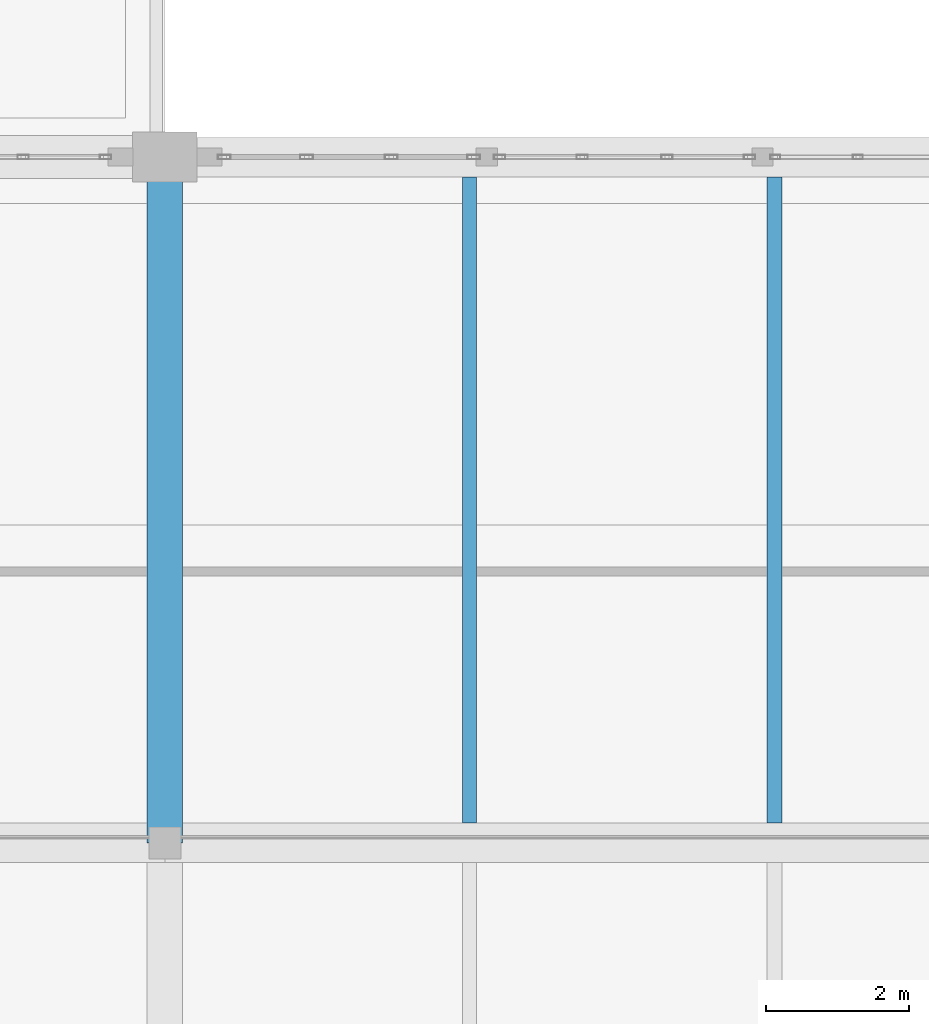
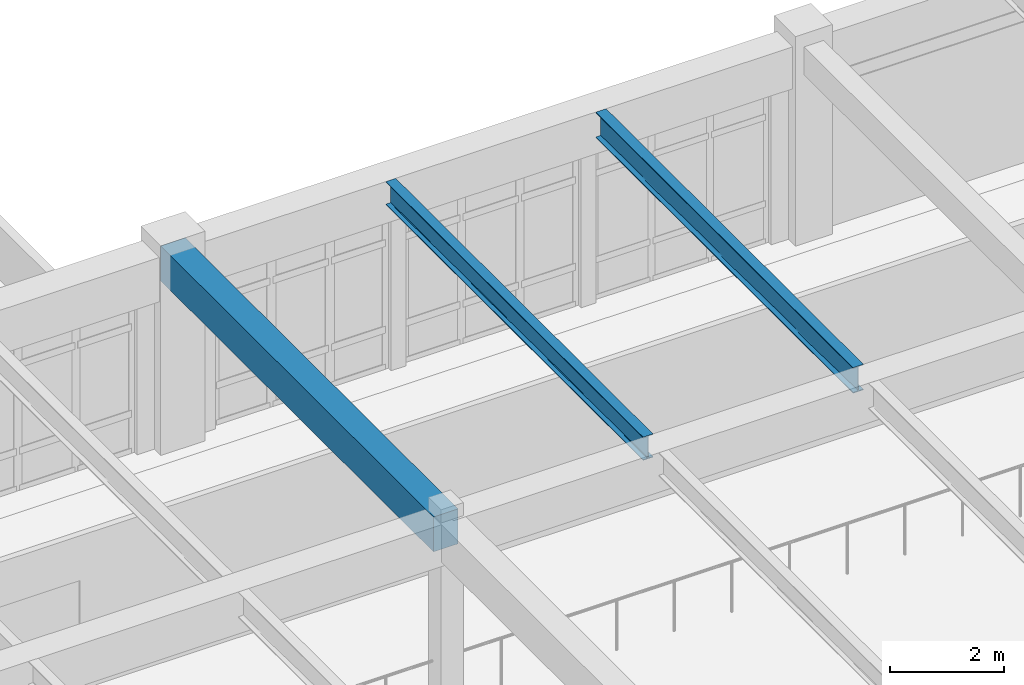
# One storey, part 60 of 109: 3 beams.
"""IFC4 building model written with IfcOpenShell, lengths in metres."""

from ifc_helpers import new_model, si_unit, direction, frame, origin, origin_2d, place, context, subcontext, project, spatial, rectangle, i_section, extrude, material, material_profile, profile_set, type_object, element, save


model = new_model("IFC4")

# Units and contexts
model_context = context("Model", 3, precision=1e-05, world=origin(), true_north=direction((0.0, 1.0)))
body_context = subcontext(model_context, "Body", "Model", "MODEL_VIEW")
ifc_project = project(units=[si_unit("LENGTHUNIT", "METRE"), si_unit("AREAUNIT", "SQUARE_METRE"), si_unit("VOLUMEUNIT", "CUBIC_METRE"), si_unit("PLANEANGLEUNIT", "RADIAN"), si_unit("MASSUNIT", "GRAM", prefix="KILO")], contexts=[model_context])

# Site, building, storey
site_placement = place(None, origin())
site = spatial("IfcSite", under=ifc_project, at=site_placement, CompositionType="ELEMENT")
building_placement = place(site_placement, origin())
building = spatial("IfcBuilding", under=site, at=building_placement, Name="Fikremerkos Civic Library", CompositionType="ELEMENT")
storey_placement = place(building_placement, frame((0.0, 0.0, 5.39990234375)))
storey = spatial("IfcBuildingStorey", under=building, at=storey_placement, Name="L01", CompositionType="ELEMENT", Elevation=5.39990234375)

# Beams
ifc_material_1 = material(Name="Steel S355", Category="steel")
ifc_material_profile_1 = material_profile(ifc_material_1, i_section(OverallWidth=0.2099609375, OverallDepth=0.550048828125, WebThickness=0.010986328125, FlangeThickness=0.01708984375, FilletRadius=0.02392578125, at=origin_2d()), Name="IPE 550")
ifc_profile_set_1 = profile_set([ifc_material_profile_1], Name="Steel S355")
beam_type_1 = type_object("IfcBeamType", Name="Floor joist JS-05 IPE 550", PredefinedType="JOIST", material=ifc_profile_set_1)
beam_1_placement = place(storey_placement, frame((155.7333984375, 31.47509765625, 3.945068359375), z_axis=(0.0, 1.0, 0.0), x_axis=(-1.0, 0.0, 0.0)))
element("IfcBeam", 1, at=beam_1_placement, inside=storey, type_object=beam_type_1, Name="Floor joist JS-05 L01 #463", PredefinedType="JOIST", context=body_context, shape_type="SweptSolid", body=[
    extrude(i_section(OverallWidth=0.2099609375, OverallDepth=0.550048828125, WebThickness=0.010986328125, FlangeThickness=0.01708984375, FilletRadius=0.02392578125, at=origin_2d()), origin(), (0.0, 0.0, 1.0), 9.0498046875),
])
ifc_material_profile_2 = material_profile(ifc_material_1, i_section(OverallWidth=0.199951171875, OverallDepth=0.5, WebThickness=0.01025390625, FlangeThickness=0.01611328125, FilletRadius=0.02099609375, at=origin_2d()), Name="IPE 500")
ifc_profile_set_2 = profile_set([ifc_material_profile_2], Name="Steel S355")
beam_type_2 = type_object("IfcBeamType", Name="Floor joist JS-06 IPE 500", PredefinedType="JOIST", material=ifc_profile_set_2)
beam_2_placement = place(storey_placement, frame((151.466796875, 31.47509765625, 3.97021484375), z_axis=(0.0, 1.0, 0.0), x_axis=(-1.0, 0.0, 0.0)))
element("IfcBeam", 2, at=beam_2_placement, inside=storey, type_object=beam_type_2, Name="Floor joist JS-06 L01 #462", PredefinedType="JOIST", context=body_context, shape_type="SweptSolid", body=[
    extrude(i_section(OverallWidth=0.199951171875, OverallDepth=0.5, WebThickness=0.01025390625, FlangeThickness=0.01611328125, FilletRadius=0.02099609375, at=origin_2d()), origin(), (0.0, 0.0, 1.0), 9.0498046875),
])
ifc_material_2 = material(Name="Concrete C40/50", Category="concrete")
ifc_material_profile_3 = material_profile(ifc_material_2, rectangle(XDim=0.5, YDim=0.75, at=origin_2d()), Name="RC 500x750")
ifc_profile_set_3 = profile_set([ifc_material_profile_3], Name="Concrete C40/50")
beam_type_3 = type_object("IfcBeamType", Name="Primary girder BM-05 RC 500x750", PredefinedType="BEAM", material=ifc_profile_set_3)
beam_3_placement = place(storey_placement, frame((147.199951171875, 31.199951171875, 3.84521484375), z_axis=(0.0, 1.0, 0.0), x_axis=(-1.0, 0.0, 0.0)))
element("IfcBeam", 3, at=beam_3_placement, inside=storey, type_object=beam_type_3, Name="Primary girder BM-05 L01 grid 13", PredefinedType="BEAM", context=body_context, shape_type="SweptSolid", body=[
    extrude(rectangle(XDim=0.5, YDim=0.75, at=origin_2d()), origin(), (0.0, 0.0, 1.0), 9.60009765625),
])

save(model, "model.ifc")
